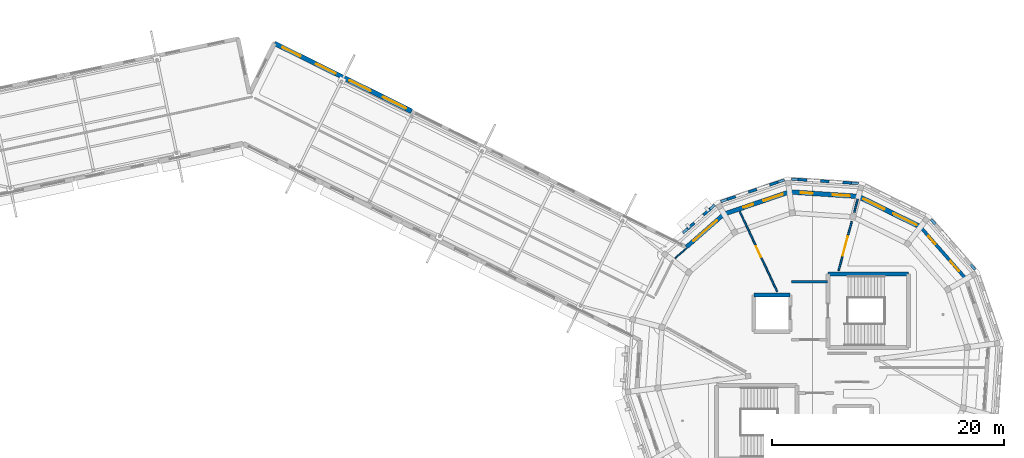
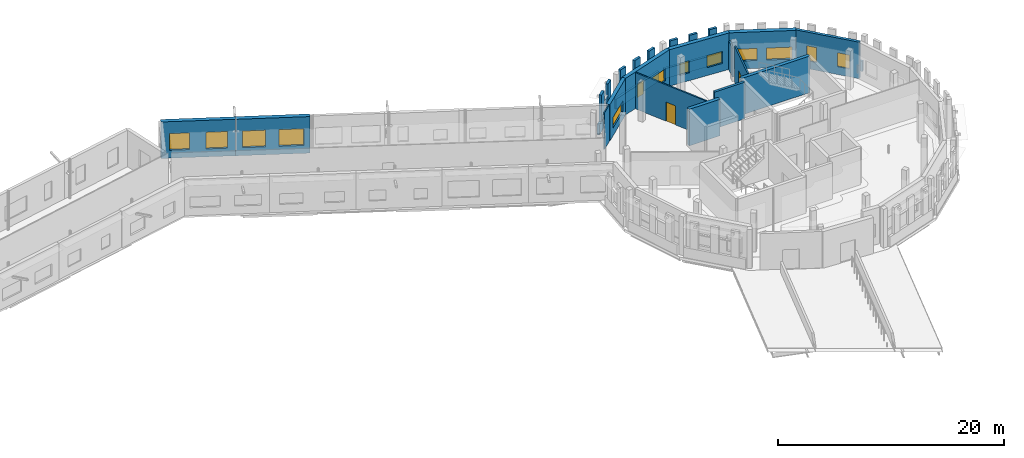
# One storey, part 52 of 68: 26 walls, 13 windows, 2 doors, 15 openings.
"""IFC4 building model written with IfcOpenShell, lengths in metres."""

from ifc_helpers import new_model, si_unit, direction, frame, frame_2d, origin, place, context, subcontext, project, spatial, rectangle, extrude, material, layer, layer_set, type_object, element, fill, save


model = new_model("IFC4")

# Units and contexts
model_context = context("Model", 3, precision=1e-05, world=origin(), true_north=direction((0.0, 1.0)))
body_context = subcontext(model_context, "Body", "Model", "MODEL_VIEW")
ifc_project = project(units=[si_unit("LENGTHUNIT", "METRE"), si_unit("AREAUNIT", "SQUARE_METRE"), si_unit("VOLUMEUNIT", "CUBIC_METRE"), si_unit("PLANEANGLEUNIT", "RADIAN"), si_unit("MASSUNIT", "GRAM", prefix="KILO")], contexts=[model_context])

# Site, building, storey
site_placement = place(None, origin())
site = spatial("IfcSite", under=ifc_project, at=site_placement, CompositionType="ELEMENT")
building_placement = place(site_placement, origin())
building = spatial("IfcBuilding", under=site, at=building_placement, Name="Wrenclough Park School", CompositionType="ELEMENT")
storey_placement = place(building_placement, frame((0.0, 0.0, 12.60009765625)))
storey = spatial("IfcBuildingStorey", under=building, at=storey_placement, Name="L03", CompositionType="ELEMENT", Elevation=12.60009765625)

# Walls
ifc_material_1 = material(Name="Perforated open-bond Staffordshire and Manchester brick screen pier", Category="masonry")
ifc_layer_1 = layer(ifc_material_1, 0.2451171875)
ifc_layer_set_1 = layer_set([ifc_layer_1], Name="Perforated open-bond Staffordshire and Manchester brick screen pier")
wall_type_1 = type_object("IfcWallType", Name="ENV-BS-PR245", PredefinedType="ELEMENTEDWALL", material=ifc_layer_set_1)
for number, where, z_axis, x_axis, name in (
    (1, (177.85546875, 109.415771484375, 1.08984375), (0.0, 0.0, 1.0), (-0.997871025061, 0.065218228618, 0.0), "D5 L03 perforated brick screen pier 0856"),
    (2, (175.93212890625, 109.541748046875, 1.08984375), (0.0, 0.0, 1.0), (-0.997850066036, 0.065538124105, 0.0), "D5 L03 perforated brick screen pier 0857"),
    (3, (174.0087890625, 109.667724609375, 1.08984375), (0.0, 0.0, 1.0), (-0.997850066036, 0.065538124105, 0.0), "D5 L03 perforated brick screen pier 0858"),
    (4, (171.509521484375, 109.48828125, 1.08984375), (0.0, 0.0, 1.0), (-0.946901886192, -0.321522655386, 0.0), "D5 L03 perforated brick screen pier 0859"),
    (5, (169.684326171875, 108.86865234375, 1.08984375), (0.0, 0.0, 1.0), (-0.946999642396, -0.32123461411, 0.0), "D5 L03 perforated brick screen pier 0860"),
    (6, (167.859130859375, 108.249267578125, 1.08984375), (0.0, 0.0, 1.0), (-0.946901886192, -0.321522655386, 0.0), "D5 L03 perforated brick screen pier 0861"),
):
    element("IfcWall", number, at=place(storey_placement, frame(where, z_axis=z_axis, x_axis=x_axis)), inside=storey, type_object=wall_type_1, Name=name, PredefinedType="ELEMENTEDWALL", context=body_context, shape_type="SweptSolid", body=[
        extrude(rectangle(XDim=0.760009765625, YDim=0.2451171875, at=frame_2d((0.3798828125, 0.0))), origin(), (0.0, 0.0, 1.0), 2.85009765625),
    ])
for number, where, z_axis, x_axis, name in (
    (7, (165.659423828125, 107.16259765625, 1.08984375), (0.0, 0.0, 1.0), (-0.751840109951, -0.659345470196, 0.0), "D5 L03 perforated brick screen pier 0862"),
    (8, (164.29150390625, 105.962890625, 1.08984375), (0.0, 0.0, 1.0), (-0.751840109951, -0.659345470196, 0.0), "D5 L03 perforated brick screen pier 0863"),
):
    element("IfcWall", number, at=place(storey_placement, frame(where, z_axis=z_axis, x_axis=x_axis)), inside=storey, type_object=wall_type_1, Name=name, PredefinedType="ELEMENTEDWALL", context=body_context, shape_type="SweptSolid", body=[
        extrude(rectangle(XDim=0.76025390625, YDim=0.2451171875, at=frame_2d((0.380126953125, 0.0))), origin(), (0.0, 0.0, 1.0), 2.85009765625),
    ])
ifc_material_2 = material(Name="Open-bond Manchester multi-stock brick spandrel screen", Category="masonry")
ifc_layer_2 = layer(ifc_material_2, 0.22509765625)
ifc_layer_set_2 = layer_set([ifc_layer_2], Name="Open-bond Manchester multi-stock brick spandrel screen")
wall_type_2 = type_object("IfcWallType", Name="ENV-BS-SP225", PredefinedType="ELEMENTEDWALL", material=ifc_layer_set_2)
wall_1_placement = place(storey_placement, frame((188.51171875, 101.9423828125, 0.0), z_axis=(0.0, 0.0, 1.0), x_axis=(-0.659335243923, 0.751849078021, 0.0)))
element("IfcWall", 9, at=wall_1_placement, inside=storey, type_object=wall_type_2, Name="D5 L03 open-bond brick screen spandrel 0228", PredefinedType="ELEMENTEDWALL", context=body_context, shape_type="SweptSolid", body=[
    extrude(rectangle(XDim=5.781982421875, YDim=0.22509765625, at=frame_2d((2.89111328125, 0.0))), origin(), (0.0, 0.0, 1.0), 1.08984375),
])
wall_2_placement = place(storey_placement, frame((178.43798828125, 109.37744140625, 0.0), z_axis=(0.0, 0.0, 1.0), x_axis=(-0.997859072584, 0.065400850615, 0.0)))
element("IfcWall", 10, at=wall_2_placement, inside=storey, type_object=wall_type_2, Name="D5 L03 open-bond brick screen spandrel 0230", PredefinedType="ELEMENTEDWALL", context=body_context, shape_type="SweptSolid", body=[
    extrude(rectangle(XDim=5.782470703125, YDim=0.22509765625, at=frame_2d((2.89111328125, 0.0))), origin(), (0.0, 0.0, 1.0), 1.08984375),
])
wall_3_placement = place(storey_placement, frame((172.062255859375, 109.67578125, 0.0), z_axis=(0.0, 0.0, 1.0), x_axis=(-0.946942218197, -0.321403850935, 0.0)))
element("IfcWall", 11, at=wall_3_placement, inside=storey, type_object=wall_type_2, Name="D5 L03 open-bond brick screen spandrel 0231", PredefinedType="ELEMENTEDWALL", context=body_context, shape_type="SweptSolid", body=[
    extrude(rectangle(XDim=5.7822265625, YDim=0.22509765625, at=frame_2d((2.89111328125, 0.0))), origin(), (0.0, 0.0, 1.0), 1.08984375),
])
wall_4_placement = place(storey_placement, frame((166.0576171875, 107.51171875, 0.0), z_axis=(0.0, 0.0, 1.0), x_axis=(-0.751819793684, -0.65936863576, 0.0)))
element("IfcWall", 12, at=wall_4_placement, inside=storey, type_object=wall_type_2, Name="D5 L03 open-bond brick screen spandrel 0232", PredefinedType="ELEMENTEDWALL", context=body_context, shape_type="SweptSolid", body=[
    extrude(rectangle(XDim=3.638916015625, YDim=0.22509765625, at=frame_2d((1.8193359375, 0.0))), origin(), (0.0, 0.0, 1.0), 1.08984375),
])

# Wall, openings, windows
ifc_material_3 = material(Name="Link wing brick-faced cavity wall Concrete C32/40", Category="masonry")
ifc_layer_3 = layer(ifc_material_3, 0.27490234375)
ifc_layer_set_3 = layer_set([ifc_layer_3], Name="Link wing brick-faced cavity wall Concrete C32/40")
wall_type_3 = type_object("IfcWallType", Name="ENV-EW-275", PredefinedType="SOLIDWALL", material=ifc_layer_set_3)
wall_5_placement = place(storey_placement, frame((183.800537109375, 105.62060546875, 0.0), z_axis=(0.0, 0.0, 1.0), x_axis=(0.659353757459, -0.751832842143, 0.0)))
wall_5 = element("IfcWall", 13, at=wall_5_placement, inside=storey, type_object=wall_type_3, Name="L03 insulated brick external wall 0294", PredefinedType="SOLIDWALL", context=body_context, shape_type="SweptSolid", body=[
    extrude(rectangle(XDim=5.9609375, YDim=0.27490234375, at=frame_2d((2.98046875, 0.0))), origin(), (0.0, 0.0, 1.0), 3.93994140625),
])
opening_1_placement = place(wall_5_placement, frame((1.040283203125, 0.0, 0.85009765625)))
opening_1 = element("IfcOpeningElement", 14, at=opening_1_placement, cuts=wall_5, Name="Opening WN-13", PredefinedType="OPENING", context=body_context, shape_type="SweptSolid", body=[
    extrude(rectangle(XDim=0.89990234375, YDim=1.60009765625, at=frame_2d((0.449951171875, 0.800048828125))), frame((0.0, 0.1474609375, 0.0), z_axis=(0.0, -1.0, 0.0), x_axis=(1.0, 0.0, 0.0)), (0.0, 0.0, 1.0), 0.294921875),
])
opening_2_placement = place(wall_5_placement, frame((3.895751953125, 0.0, 0.85009765625)))
opening_2 = element("IfcOpeningElement", 15, at=opening_2_placement, cuts=wall_5, Name="Opening WN-50", PredefinedType="OPENING", context=body_context, shape_type="SweptSolid", body=[
    extrude(rectangle(XDim=1.14990234375, YDim=1.5, at=frame_2d((0.574951171875, 0.75))), frame((0.0, 0.1474609375, 0.0), z_axis=(0.0, -1.0, 0.0), x_axis=(1.0, 0.0, 0.0)), (0.0, 0.0, 1.0), 0.294921875),
])
ifc_material_4 = material(Name="Thermally broken aluminium and double-glazed low-e glass", Category="aluminium")
window_type_1 = type_object("IfcWindowType", Name="ENV-WN-13", PartitioningType="SINGLE_PANEL", PredefinedType="WINDOW", material=ifc_material_4)
window_1_placement = place(opening_1_placement, origin())
window_1 = element("IfcWindow", 16, at=window_1_placement, inside=storey, type_object=window_type_1, Name="L03 scheduled facade window 0496", OverallHeight=1.60009765625, OverallWidth=0.89990234375, PartitioningType="SINGLE_PANEL", PredefinedType="WINDOW", context=body_context, shape_type="SweptSolid", body=[
    extrude(rectangle(XDim=0.89990234375, YDim=1.60009765625, at=frame_2d((0.449951171875, 0.800048828125))), frame((0.0, 0.030029296875, 0.0), z_axis=(0.0, -1.0, 0.0), x_axis=(1.0, 0.0, 0.0)), (0.0, 0.0, 1.0), 0.06005859375),
])
fill(opening_1, window_1)
window_type_2 = type_object("IfcWindowType", Name="ENV-WN-50", PartitioningType="SINGLE_PANEL", PredefinedType="WINDOW", material=ifc_material_4)
window_2_placement = place(opening_2_placement, origin())
window_2 = element("IfcWindow", 17, at=window_2_placement, inside=storey, type_object=window_type_2, Name="L03 scheduled facade window 0497", OverallHeight=1.5, OverallWidth=1.14990234375, PartitioningType="SINGLE_PANEL", PredefinedType="WINDOW", context=body_context, shape_type="SweptSolid", body=[
    extrude(rectangle(XDim=1.14990234375, YDim=1.5, at=frame_2d((0.574951171875, 0.75))), frame((0.0, 0.030029296875, 0.0), z_axis=(0.0, -1.0, 0.0), x_axis=(1.0, 0.0, 0.0)), (0.0, 0.0, 1.0), 0.06005859375),
])
fill(opening_2, window_2)

# Wall, opening, window
ifc_material_5 = material(Name="Staffordshire blue-grey brick and Concrete C35/45 inner leaf", Category="masonry")
ifc_layer_4 = layer(ifc_material_5, 0.35009765625)
ifc_layer_set_4 = layer_set([ifc_layer_4], Name="Staffordshire blue-grey brick and Concrete C35/45 inner leaf")
wall_type_4 = type_object("IfcWallType", Name="ENV-EW-350", PredefinedType="SOLIDWALL", material=ifc_layer_set_4)
wall_6_placement = place(storey_placement, frame((163.61572265625, 103.884521484375, 0.0), z_axis=(0.0, 0.0, 1.0), x_axis=(0.751801904745, 0.659389032379, 0.0)))
wall_6 = element("IfcWall", 18, at=wall_6_placement, inside=storey, type_object=wall_type_4, Name="L03 insulated brick external wall 0290", PredefinedType="SOLIDWALL", context=body_context, shape_type="SweptSolid", body=[
    extrude(rectangle(XDim=4.31689453125, YDim=0.35009765625, at=frame_2d((2.158447265625, 0.0))), origin(), (0.0, 0.0, 1.0), 3.93994140625),
])
opening_3_placement = place(wall_6_placement, frame((0.808349609375, 0.0, 0.85009765625)))
opening_3 = element("IfcOpeningElement", 19, at=opening_3_placement, cuts=wall_6, Name="Opening WN-42", PredefinedType="OPENING", context=body_context, shape_type="SweptSolid", body=[
    extrude(rectangle(XDim=2.699951171875, YDim=1.14990234375, at=frame_2d((1.35009765625, 0.574951171875))), frame((0.0, 0.18505859375, 0.0), z_axis=(0.0, -1.0, 0.0), x_axis=(1.0, 0.0, 0.0)), (0.0, 0.0, 1.0), 0.3701171875),
])
window_type_3 = type_object("IfcWindowType", Name="ENV-WN-42", PartitioningType="DOUBLE_PANEL_VERTICAL", PredefinedType="WINDOW", material=ifc_material_4)
window_3_placement = place(opening_3_placement, origin())
window_3 = element("IfcWindow", 20, at=window_3_placement, inside=storey, type_object=window_type_3, Name="L03 scheduled facade window 0489", OverallHeight=1.14990234375, OverallWidth=2.699951171875, PartitioningType="SINGLE_PANEL", PredefinedType="WINDOW", context=body_context, shape_type="SweptSolid", body=[
    extrude(rectangle(XDim=2.699951171875, YDim=1.14990234375, at=frame_2d((1.35009765625, 0.574951171875))), frame((0.0, 0.030029296875, 0.0), z_axis=(0.0, -1.0, 0.0), x_axis=(1.0, 0.0, 0.0)), (0.0, 0.0, 1.0), 0.06005859375),
])
fill(opening_3, window_3)

# Wall, openings, windows
ifc_material_6 = material(Name="Manchester multi-stock brick and Concrete C35/45 inner leaf", Category="masonry")
ifc_layer_5 = layer(ifc_material_6, 0.3798828125)
ifc_layer_set_5 = layer_set([ifc_layer_5], Name="Manchester multi-stock brick and Concrete C35/45 inner leaf")
wall_type_5 = type_object("IfcWallType", Name="ENV-EW-380", PredefinedType="SOLIDWALL", material=ifc_layer_set_5)
wall_7_placement = place(storey_placement, frame((166.861083984375, 106.73095703125, 0.0), z_axis=(0.0, 0.0, 1.0), x_axis=(0.94693663561, 0.321420298269, 0.0)))
wall_7 = element("IfcWall", 21, at=wall_7_placement, inside=storey, type_object=wall_type_5, Name="L03 insulated brick external wall 0291", PredefinedType="SOLIDWALL", context=body_context, shape_type="SweptSolid", body=[
    extrude(rectangle(XDim=5.961181640625, YDim=0.3798828125, at=frame_2d((2.98046875, 0.0))), origin(), (0.0, 0.0, 1.0), 3.93994140625),
])
opening_4_placement = place(wall_7_placement, frame((1.780517578125, 0.0, 0.85009765625)))
opening_4 = element("IfcOpeningElement", 22, at=opening_4_placement, cuts=wall_7, Name="Opening WN-01", PredefinedType="OPENING", context=body_context, shape_type="SweptSolid", body=[
    extrude(rectangle(XDim=0.85009765625, YDim=1.39990234375, at=frame_2d((0.425048828125, 0.699951171875))), frame((0.0, 0.199951171875, 0.0), z_axis=(0.0, -1.0, 0.0), x_axis=(1.0, 0.0, 0.0)), (0.0, 0.0, 1.0), 0.39990234375),
])
opening_5_placement = place(wall_7_placement, frame((3.595947265625, 0.0, 0.85009765625)))
opening_5 = element("IfcOpeningElement", 23, at=opening_5_placement, cuts=wall_7, Name="Opening WN-44", PredefinedType="OPENING", context=body_context, shape_type="SweptSolid", body=[
    extrude(rectangle(XDim=1.75, YDim=1.300048828125, at=frame_2d((0.875, 0.64990234375))), frame((0.0, 0.199951171875, 0.0), z_axis=(0.0, -1.0, 0.0), x_axis=(1.0, 0.0, 0.0)), (0.0, 0.0, 1.0), 0.39990234375),
])
window_type_4 = type_object("IfcWindowType", Name="ENV-WN-01", PartitioningType="SINGLE_PANEL", PredefinedType="WINDOW", material=ifc_material_4)
window_4_placement = place(opening_4_placement, origin())
window_4 = element("IfcWindow", 24, at=window_4_placement, inside=storey, type_object=window_type_4, Name="L03 scheduled facade window 0490", OverallHeight=1.39990234375, OverallWidth=0.85009765625, PartitioningType="SINGLE_PANEL", PredefinedType="WINDOW", context=body_context, shape_type="SweptSolid", body=[
    extrude(rectangle(XDim=0.85009765625, YDim=1.39990234375, at=frame_2d((0.425048828125, 0.699951171875))), frame((0.0, 0.030029296875, 0.0), z_axis=(0.0, -1.0, 0.0), x_axis=(1.0, 0.0, 0.0)), (0.0, 0.0, 1.0), 0.06005859375),
])
fill(opening_4, window_4)
window_type_5 = type_object("IfcWindowType", Name="ENV-WN-44", PartitioningType="DOUBLE_PANEL_VERTICAL", PredefinedType="WINDOW", material=ifc_material_4)
window_5_placement = place(opening_5_placement, origin())
window_5 = element("IfcWindow", 25, at=window_5_placement, inside=storey, type_object=window_type_5, Name="L03 scheduled facade window 0491", OverallHeight=1.300048828125, OverallWidth=1.75, PartitioningType="SINGLE_PANEL", PredefinedType="WINDOW", context=body_context, shape_type="SweptSolid", body=[
    extrude(rectangle(XDim=1.75, YDim=1.300048828125, at=frame_2d((0.875, 0.64990234375))), frame((0.0, 0.030029296875, 0.0), z_axis=(0.0, -1.0, 0.0), x_axis=(1.0, 0.0, 0.0)), (0.0, 0.0, 1.0), 0.06005859375),
])
fill(opening_5, window_5)

ifc_material_7 = material(Name="Staffordshire blue-grey brick and Concrete C40/50 acoustic leaf", Category="masonry")
ifc_layer_6 = layer(ifc_material_7, 0.39990234375)
ifc_layer_set_6 = layer_set([ifc_layer_6], Name="Staffordshire blue-grey brick and Concrete C40/50 acoustic leaf")
wall_type_6 = type_object("IfcWallType", Name="ENV-EW-400", PredefinedType="SOLIDWALL", material=ifc_layer_set_6)
wall_8_placement = place(storey_placement, frame((128.094482421875, 121.4619140625, 0.0), z_axis=(0.0, 0.0, 1.0), x_axis=(0.896274950862, -0.443498830277, 0.0)))
wall_8 = element("IfcWall", 26, at=wall_8_placement, inside=storey, type_object=wall_type_6, Name="L03 insulated brick external wall 0284", PredefinedType="SOLIDWALL", context=body_context, shape_type="SweptSolid", body=[
    extrude(rectangle(XDim=6.605224609375, YDim=0.39990234375, at=frame_2d((3.302734375, 0.0))), origin(), (0.0, 0.0, 1.0), 3.93994140625),
])
opening_6_placement = place(wall_8_placement, frame((0.7763671875, 0.0, 0.85009765625)))
opening_6 = element("IfcOpeningElement", 27, at=opening_6_placement, cuts=wall_8, Name="Opening WN-30", PredefinedType="OPENING", context=body_context, shape_type="SweptSolid", body=[
    extrude(rectangle(XDim=1.75, YDim=1.800048828125, at=frame_2d((0.875, 0.89990234375))), frame((0.0, 0.2099609375, 0.0), z_axis=(0.0, -1.0, 0.0), x_axis=(1.0, 0.0, 0.0)), (0.0, 0.0, 1.0), 0.419921875),
])
opening_7_placement = place(wall_8_placement, frame((4.004150390625, 0.0, 0.85009765625)))
opening_7 = element("IfcOpeningElement", 28, at=opening_7_placement, cuts=wall_8, Name="Opening WN-31", PredefinedType="OPENING", context=body_context, shape_type="SweptSolid", body=[
    extrude(rectangle(XDim=1.89990234375, YDim=1.800048828125, at=frame_2d((0.949951171875, 0.89990234375))), frame((0.0, 0.2099609375, 0.0), z_axis=(0.0, -1.0, 0.0), x_axis=(1.0, 0.0, 0.0)), (0.0, 0.0, 1.0), 0.419921875),
])
window_type_6 = type_object("IfcWindowType", Name="ENV-WN-30", PartitioningType="DOUBLE_PANEL_VERTICAL", PredefinedType="WINDOW", material=ifc_material_4)
window_6_placement = place(opening_6_placement, origin())
window_6 = element("IfcWindow", 29, at=window_6_placement, inside=storey, type_object=window_type_6, Name="L03 scheduled facade window 0477", OverallHeight=1.800048828125, OverallWidth=1.75, PartitioningType="SINGLE_PANEL", PredefinedType="WINDOW", context=body_context, shape_type="SweptSolid", body=[
    extrude(rectangle(XDim=1.75, YDim=1.800048828125, at=frame_2d((0.875, 0.89990234375))), frame((0.0, 0.030029296875, 0.0), z_axis=(0.0, -1.0, 0.0), x_axis=(1.0, 0.0, 0.0)), (0.0, 0.0, 1.0), 0.06005859375),
])
fill(opening_6, window_6)
window_type_7 = type_object("IfcWindowType", Name="ENV-WN-31", PartitioningType="DOUBLE_PANEL_VERTICAL", PredefinedType="WINDOW", material=ifc_material_4)
window_7_placement = place(opening_7_placement, origin())
window_7 = element("IfcWindow", 30, at=window_7_placement, inside=storey, type_object=window_type_7, Name="L03 scheduled facade window 0478", OverallHeight=1.800048828125, OverallWidth=1.89990234375, PartitioningType="SINGLE_PANEL", PredefinedType="WINDOW", context=body_context, shape_type="SweptSolid", body=[
    extrude(rectangle(XDim=1.89990234375, YDim=1.800048828125, at=frame_2d((0.949951171875, 0.89990234375))), frame((0.0, 0.030029296875, 0.0), z_axis=(0.0, -1.0, 0.0), x_axis=(1.0, 0.0, 0.0)), (0.0, 0.0, 1.0), 0.06005859375),
])
fill(opening_7, window_7)

wall_9_placement = place(storey_placement, frame((172.505859375, 108.64697265625, 0.0), z_axis=(0.0, 0.0, 1.0), x_axis=(0.997858658418, -0.065407169492, 0.0)))
wall_9 = element("IfcWall", 31, at=wall_9_placement, inside=storey, type_object=wall_type_6, Name="L03 insulated brick external wall 0292", PredefinedType="SOLIDWALL", context=body_context, shape_type="SweptSolid", body=[
    extrude(rectangle(XDim=5.9609375, YDim=0.39990234375, at=frame_2d((2.98046875, 0.0))), origin(), (0.0, 0.0, 1.0), 3.93994140625),
])
opening_8_placement = place(wall_9_placement, frame((0.990234375, 0.0, 0.85009765625)))
opening_8 = element("IfcOpeningElement", 32, at=opening_8_placement, cuts=wall_9, Name="Opening WN-45", PredefinedType="OPENING", context=body_context, shape_type="SweptSolid", body=[
    extrude(rectangle(XDim=1.0, YDim=1.300048828125, at=frame_2d((0.5, 0.64990234375))), frame((0.0, 0.2099609375, 0.0), z_axis=(0.0, -1.0, 0.0), x_axis=(1.0, 0.0, 0.0)), (0.0, 0.0, 1.0), 0.419921875),
])
opening_9_placement = place(wall_9_placement, frame((3.720703125, 0.0, 0.85009765625)))
opening_9 = element("IfcOpeningElement", 33, at=opening_9_placement, cuts=wall_9, Name="Opening WN-46", PredefinedType="OPENING", context=body_context, shape_type="SweptSolid", body=[
    extrude(rectangle(XDim=1.5, YDim=1.300048828125, at=frame_2d((0.75, 0.64990234375))), frame((0.0, 0.2099609375, 0.0), z_axis=(0.0, -1.0, 0.0), x_axis=(1.0, 0.0, 0.0)), (0.0, 0.0, 1.0), 0.419921875),
])
window_type_8 = type_object("IfcWindowType", Name="ENV-WN-45", PartitioningType="SINGLE_PANEL", PredefinedType="WINDOW", material=ifc_material_4)
window_8_placement = place(opening_8_placement, origin())
window_8 = element("IfcWindow", 34, at=window_8_placement, inside=storey, type_object=window_type_8, Name="L03 scheduled facade window 0492", OverallHeight=1.300048828125, OverallWidth=1.0, PartitioningType="SINGLE_PANEL", PredefinedType="WINDOW", context=body_context, shape_type="SweptSolid", body=[
    extrude(rectangle(XDim=1.0, YDim=1.300048828125, at=frame_2d((0.5, 0.64990234375))), frame((0.0, 0.030029296875, 0.0), z_axis=(0.0, -1.0, 0.0), x_axis=(1.0, 0.0, 0.0)), (0.0, 0.0, 1.0), 0.06005859375),
])
fill(opening_8, window_8)
window_type_9 = type_object("IfcWindowType", Name="ENV-WN-46", PartitioningType="DOUBLE_PANEL_VERTICAL", PredefinedType="WINDOW", material=ifc_material_4)
window_9_placement = place(opening_9_placement, origin())
window_9 = element("IfcWindow", 35, at=window_9_placement, inside=storey, type_object=window_type_9, Name="L03 scheduled facade window 0493", OverallHeight=1.300048828125, OverallWidth=1.5, PartitioningType="SINGLE_PANEL", PredefinedType="WINDOW", context=body_context, shape_type="SweptSolid", body=[
    extrude(rectangle(XDim=1.5, YDim=1.300048828125, at=frame_2d((0.75, 0.64990234375))), frame((0.0, 0.030029296875, 0.0), z_axis=(0.0, -1.0, 0.0), x_axis=(1.0, 0.0, 0.0)), (0.0, 0.0, 1.0), 0.06005859375),
])
fill(opening_9, window_9)

ifc_material_8 = material(Name="Insulated brick-clad sports hall wall Concrete C40/50", Category="masonry")
ifc_layer_7 = layer(ifc_material_8, 0.425048828125)
ifc_layer_set_7 = layer_set([ifc_layer_7], Name="Insulated brick-clad sports hall wall Concrete C40/50")
wall_type_7 = type_object("IfcWallType", Name="ENV-EW-425", PredefinedType="SOLIDWALL", material=ifc_layer_set_7)
wall_10_placement = place(storey_placement, frame((134.0146484375, 118.532470703125, 0.0), z_axis=(0.0, 0.0, 1.0), x_axis=(0.896260258603, -0.443528520897, 0.0)))
wall_10 = element("IfcWall", 36, at=wall_10_placement, inside=storey, type_object=wall_type_7, Name="L03 insulated brick external wall 0285", PredefinedType="SOLIDWALL", context=body_context, shape_type="SweptSolid", body=[
    extrude(rectangle(XDim=6.60546875, YDim=0.425048828125, at=frame_2d((3.302734375, 0.0))), origin(), (0.0, 0.0, 1.0), 3.93994140625),
])
opening_10_placement = place(wall_10_placement, frame((0.626220703125, 0.0, 0.85009765625)))
opening_10 = element("IfcOpeningElement", 37, at=opening_10_placement, cuts=wall_10, Name="Opening WN-32", PredefinedType="OPENING", context=body_context, shape_type="SweptSolid", body=[
    extrude(rectangle(XDim=2.050048828125, YDim=1.800048828125, at=frame_2d((1.02490234375, 0.89990234375))), frame((0.0, 0.222412109375, 0.0), z_axis=(0.0, -1.0, 0.0), x_axis=(1.0, 0.0, 0.0)), (0.0, 0.0, 1.0), 0.445068359375),
])
opening_11_placement = place(wall_10_placement, frame((3.85400390625, 0.0, 0.85009765625)))
opening_11 = element("IfcOpeningElement", 38, at=opening_11_placement, cuts=wall_10, Name="Opening WN-33", PredefinedType="OPENING", context=body_context, shape_type="SweptSolid", body=[
    extrude(rectangle(XDim=2.199951171875, YDim=1.800048828125, at=frame_2d((1.10009765625, 0.89990234375))), frame((0.0, 0.222412109375, 0.0), z_axis=(0.0, -1.0, 0.0), x_axis=(1.0, 0.0, 0.0)), (0.0, 0.0, 1.0), 0.445068359375),
])
window_type_10 = type_object("IfcWindowType", Name="ENV-WN-32", PartitioningType="DOUBLE_PANEL_VERTICAL", PredefinedType="WINDOW", material=ifc_material_4)
window_10_placement = place(opening_10_placement, origin())
window_10 = element("IfcWindow", 39, at=window_10_placement, inside=storey, type_object=window_type_10, Name="L03 scheduled facade window 0479", OverallHeight=1.800048828125, OverallWidth=2.050048828125, PartitioningType="SINGLE_PANEL", PredefinedType="WINDOW", context=body_context, shape_type="SweptSolid", body=[
    extrude(rectangle(XDim=2.050048828125, YDim=1.800048828125, at=frame_2d((1.02490234375, 0.89990234375))), frame((0.0, 0.030029296875, 0.0), z_axis=(0.0, -1.0, 0.0), x_axis=(1.0, 0.0, 0.0)), (0.0, 0.0, 1.0), 0.06005859375),
])
fill(opening_10, window_10)
window_type_11 = type_object("IfcWindowType", Name="ENV-WN-33", PartitioningType="DOUBLE_PANEL_VERTICAL", PredefinedType="WINDOW", material=ifc_material_4)
window_11_placement = place(opening_11_placement, origin())
window_11 = element("IfcWindow", 40, at=window_11_placement, inside=storey, type_object=window_type_11, Name="L03 scheduled facade window 0480", OverallHeight=1.800048828125, OverallWidth=2.199951171875, PartitioningType="SINGLE_PANEL", PredefinedType="WINDOW", context=body_context, shape_type="SweptSolid", body=[
    extrude(rectangle(XDim=2.199951171875, YDim=1.800048828125, at=frame_2d((1.10009765625, 0.89990234375))), frame((0.0, 0.030029296875, 0.0), z_axis=(0.0, -1.0, 0.0), x_axis=(1.0, 0.0, 0.0)), (0.0, 0.0, 1.0), 0.06005859375),
])
fill(opening_11, window_11)

wall_11_placement = place(storey_placement, frame((178.4541015625, 108.257080078125, 0.0), z_axis=(0.0, 0.0, 1.0), x_axis=(0.896879104746, -0.442275786664, 0.0)))
wall_11 = element("IfcWall", 41, at=wall_11_placement, inside=storey, type_object=wall_type_7, Name="L03 insulated brick external wall 0293", PredefinedType="SOLIDWALL", context=body_context, shape_type="SweptSolid", body=[
    extrude(rectangle(XDim=5.961181640625, YDim=0.425048828125, at=frame_2d((2.98046875, 0.0))), origin(), (0.0, 0.0, 1.0), 3.93994140625),
])
opening_12_placement = place(wall_11_placement, frame((0.490234375, 0.0, 0.85009765625)))
opening_12 = element("IfcOpeningElement", 42, at=opening_12_placement, cuts=wall_11, Name="Opening WN-47", PredefinedType="OPENING", context=body_context, shape_type="SweptSolid", body=[
    extrude(rectangle(XDim=2.0, YDim=1.300048828125, at=frame_2d((1.0, 0.64990234375))), frame((0.0, 0.222412109375, 0.0), z_axis=(0.0, -1.0, 0.0), x_axis=(1.0, 0.0, 0.0)), (0.0, 0.0, 1.0), 0.445068359375),
])
opening_13_placement = place(wall_11_placement, frame((3.345947265625, 0.0, 0.85009765625)))
opening_13 = element("IfcOpeningElement", 43, at=opening_13_placement, cuts=wall_11, Name="Opening WN-48", PredefinedType="OPENING", context=body_context, shape_type="SweptSolid", body=[
    extrude(rectangle(XDim=2.25, YDim=1.300048828125, at=frame_2d((1.125, 0.64990234375))), frame((0.0, 0.222412109375, 0.0), z_axis=(0.0, -1.0, 0.0), x_axis=(1.0, 0.0, 0.0)), (0.0, 0.0, 1.0), 0.445068359375),
])
window_type_12 = type_object("IfcWindowType", Name="ENV-WN-47", PartitioningType="DOUBLE_PANEL_VERTICAL", PredefinedType="WINDOW", material=ifc_material_4)
window_12_placement = place(opening_12_placement, origin())
window_12 = element("IfcWindow", 44, at=window_12_placement, inside=storey, type_object=window_type_12, Name="L03 scheduled facade window 0494", OverallHeight=1.300048828125, OverallWidth=2.0, PartitioningType="SINGLE_PANEL", PredefinedType="WINDOW", context=body_context, shape_type="SweptSolid", body=[
    extrude(rectangle(XDim=2.0, YDim=1.300048828125, at=frame_2d((1.0, 0.64990234375))), frame((0.0, 0.030029296875, 0.0), z_axis=(0.0, -1.0, 0.0), x_axis=(1.0, 0.0, 0.0)), (0.0, 0.0, 1.0), 0.06005859375),
])
fill(opening_12, window_12)
window_type_13 = type_object("IfcWindowType", Name="ENV-WN-48", PartitioningType="DOUBLE_PANEL_VERTICAL", PredefinedType="WINDOW", material=ifc_material_4)
window_13_placement = place(opening_13_placement, origin())
window_13 = element("IfcWindow", 45, at=window_13_placement, inside=storey, type_object=window_type_13, Name="L03 scheduled facade window 0495", OverallHeight=1.300048828125, OverallWidth=2.25, PartitioningType="SINGLE_PANEL", PredefinedType="WINDOW", context=body_context, shape_type="SweptSolid", body=[
    extrude(rectangle(XDim=2.25, YDim=1.300048828125, at=frame_2d((1.125, 0.64990234375))), frame((0.0, 0.030029296875, 0.0), z_axis=(0.0, -1.0, 0.0), x_axis=(1.0, 0.0, 0.0)), (0.0, 0.0, 1.0), 0.06005859375),
])
fill(opening_13, window_13)

# Walls
ifc_material_9 = material(Name="Concrete C35/45", Category="concrete")
ifc_layer_8 = layer(ifc_material_9, 0.25)
ifc_layer_set_8 = layer_set([ifc_layer_8], Name="Concrete C35/45")
wall_type_8 = type_object("IfcWallType", Name="INT-CW-250", PredefinedType="SHEAR", material=ifc_layer_set_8)
wall_12_placement = place(storey_placement, frame((175.800048828125, 100.89990234375, 0.0), z_axis=(0.0, 0.0, 1.0), x_axis=(-1.0, 0.0, 0.0)))
element("IfcWall", 46, at=wall_12_placement, inside=storey, type_object=wall_type_8, Name="Core C6 L03 lobby fire wall north", PredefinedType="SHEAR", context=body_context, shape_type="SweptSolid", body=[
    extrude(rectangle(XDim=3.10009765625, YDim=0.25, at=frame_2d((1.550048828125, 0.0))), origin(), (0.0, 0.0, 1.0), 3.949951171875),
])
ifc_material_10 = material(Name="Concrete C40/50", Category="concrete")
ifc_layer_9 = layer(ifc_material_10, 0.340087890625)
ifc_layer_set_9 = layer_set([ifc_layer_9], Name="Concrete C40/50")
wall_type_9 = type_object("IfcWallType", Name="INT-CW-340", PredefinedType="SHEAR", material=ifc_layer_set_9)
wall_13_placement = place(storey_placement, frame((182.77001953125, 101.570068359375, 0.0), z_axis=(0.0, 0.0, 1.0), x_axis=(-1.0, 0.0, 0.0)))
element("IfcWall", 47, at=wall_13_placement, inside=storey, type_object=wall_type_9, Name="Core C6 L03 north shear wall", PredefinedType="SHEAR", context=body_context, shape_type="SweptSolid", body=[
    extrude(rectangle(XDim=6.93994140625, YDim=0.340087890625, at=frame_2d((3.469970703125, 0.0))), origin(), (0.0, 0.0, 1.0), 3.949951171875),
])
wall_14_placement = place(storey_placement, frame((172.570068359375, 99.77001953125, 0.0), z_axis=(0.0, 0.0, 1.0), x_axis=(-1.0, 0.0, 0.0)))
element("IfcWall", 48, at=wall_14_placement, inside=storey, type_object=wall_type_9, Name="Lift LFT-02 L03 north shaft wall", PredefinedType="SHEAR", context=body_context, shape_type="SweptSolid", body=[
    extrude(rectangle(XDim=3.14013671875, YDim=0.340087890625, at=frame_2d((1.570068359375, 0.0))), origin(), (0.0, 0.0, 1.0), 3.949951171875),
])
ifc_material_11 = material(Name="Lightweight fire-rated store partition", Category="gypsum")
ifc_layer_10 = layer(ifc_material_11, 0.110107421875)
ifc_layer_set_10 = layer_set([ifc_layer_10], Name="Lightweight fire-rated store partition")
wall_type_10 = type_object("IfcWallType", Name="INT-PW-110", PredefinedType="PARTITIONING", material=ifc_layer_set_10)
wall_15_placement = place(storey_placement, frame((162.632080078125, 102.91552734375, 0.0), z_axis=(0.0, 0.0, 1.0), x_axis=(0.751845650999, 0.659339151783, 0.0)))
element("IfcWall", 49, at=wall_15_placement, inside=storey, type_object=wall_type_10, Name="L03 internal partition 0491", PredefinedType="PARTITIONING", context=body_context, shape_type="SweptSolid", body=[
    extrude(rectangle(XDim=1.324951171875, YDim=0.110107421875, at=frame_2d((0.66259765625, 0.0))), origin(), (0.0, 0.0, 1.0), 3.949951171875),
])
ifc_material_12 = material(Name="Protected corridor partition", Category="gypsum")
ifc_layer_11 = layer(ifc_material_12, 0.14990234375)
ifc_layer_set_11 = layer_set([ifc_layer_11], Name="Protected corridor partition")
wall_type_11 = type_object("IfcWallType", Name="INT-PW-150", PredefinedType="PARTITIONING", material=ifc_layer_set_11)
wall_16_placement = place(storey_placement, frame((178.3916015625, 108.023193359375, 0.0), z_axis=(0.0, 0.0, 1.0), x_axis=(-0.258884109648, -0.965908389948, 0.0)))
element("IfcWall", 50, at=wall_16_placement, inside=storey, type_object=wall_type_11, Name="L03 internal partition 0483", PredefinedType="PARTITIONING", context=body_context, shape_type="SweptSolid", body=[
    extrude(rectangle(XDim=1.181640625, YDim=0.14990234375, at=frame_2d((0.5908203125, 0.0))), origin(), (0.0, 0.0, 1.0), 3.116943359375),
])

# Wall, opening, door
wall_17_placement = place(storey_placement, frame((177.876708984375, 106.102294921875, 0.0), z_axis=(0.0, 0.0, 1.0), x_axis=(-0.25879251633, -0.965932934262, 0.0)))
wall_17 = element("IfcWall", 51, at=wall_17_placement, inside=storey, type_object=wall_type_11, Name="L03 internal partition 0484", PredefinedType="PARTITIONING", context=body_context, shape_type="SweptSolid", body=[
    extrude(rectangle(XDim=4.397216796875, YDim=0.14990234375, at=frame_2d((2.19873046875, 0.0))), origin(), (0.0, 0.0, 1.0), 3.914794921875),
])
opening_14_placement = place(wall_17_placement, frame((1.348388671875, 0.0, 0.0)))
opening_14 = element("IfcOpeningElement", 52, at=opening_14_placement, cuts=wall_17, Name="Opening DR-L03-100", PredefinedType="OPENING", context=body_context, shape_type="SweptSolid", body=[
    extrude(rectangle(XDim=1.699951171875, YDim=2.179931640625, at=frame_2d((0.85009765625, 1.08984375))), frame((0.0, 0.0849609375, 0.0), z_axis=(0.0, -1.0, 0.0), x_axis=(1.0, 0.0, 0.0)), (0.0, 0.0, 1.0), 0.169921875),
])
ifc_material_13 = material(Name="Library reading room double vision door assembly", Category="wood")
door_type_1 = type_object("IfcDoorType", Name="INT-DR-LIB170", OperationType="NOTDEFINED", PredefinedType="DOOR", material=ifc_material_13)
door_1_placement = place(opening_14_placement, origin())
door_1 = element("IfcDoor", 53, at=door_1_placement, inside=storey, type_object=door_type_1, Name="Quiet Reading Library Gallery door DR-L03-100", OperationType="DOUBLE_DOOR_SINGLE_SWING", OverallHeight=2.179931640625, OverallWidth=1.699951171875, PredefinedType="DOOR", context=body_context, shape_type="SweptSolid", body=[
    extrude(rectangle(XDim=1.699951171875, YDim=2.179931640625, at=frame_2d((0.85009765625, 1.08984375))), frame((0.0, 0.02490234375, 0.0), z_axis=(0.0, -1.0, 0.0), x_axis=(1.0, 0.0, 0.0)), (0.0, 0.0, 1.0), 0.050048828125),
])
fill(opening_14, door_1)

ifc_material_14 = material(Name="Moisture-resistant sanitary service wall", Category="gypsum")
ifc_layer_12 = layer(ifc_material_14, 0.139892578125)
ifc_layer_set_12 = layer_set([ifc_layer_12], Name="Moisture-resistant sanitary service wall")
wall_type_12 = type_object("IfcWallType", Name="INT-SV-140", PredefinedType="PLUMBINGWALL", material=ifc_layer_set_12)
wall_18_placement = place(storey_placement, frame((168.220947265625, 106.965576171875, 0.0), z_axis=(0.0, 0.0, 1.0), x_axis=(0.422627966587, -0.906303261529, 0.0)))
wall_18 = element("IfcWall", 54, at=wall_18_placement, inside=storey, type_object=wall_type_12, Name="L03 internal partition 0487", PredefinedType="PLUMBINGWALL", context=body_context, shape_type="SweptSolid", body=[
    extrude(rectangle(XDim=7.63037109375, YDim=0.139892578125, at=frame_2d((3.815185546875, 0.0))), origin(), (0.0, 0.0, 1.0), 3.914794921875),
])
opening_15_placement = place(wall_18_placement, frame((3.30517578125, 0.0, 0.0)))
opening_15 = element("IfcOpeningElement", 55, at=opening_15_placement, cuts=wall_18, Name="Opening DR-L03-102", PredefinedType="OPENING", context=body_context, shape_type="SweptSolid", body=[
    extrude(rectangle(XDim=1.02001953125, YDim=2.06005859375, at=frame_2d((0.510009765625, 1.030029296875))), frame((0.0, 0.079833984375, 0.0), z_axis=(0.0, -1.0, 0.0), x_axis=(1.0, 0.0, 0.0)), (0.0, 0.0, 1.0), 0.159912109375),
])
ifc_material_15 = material(Name="Accessible WC outward-opening fire door assembly", Category="wood")
door_type_2 = type_object("IfcDoorType", Name="INT-DR-AWC102", OperationType="NOTDEFINED", PredefinedType="DOOR", material=ifc_material_15)
door_2_placement = place(opening_15_placement, frame((1.02001953125, 0.0, 0.0), z_axis=(0.0, 0.0, 1.0), x_axis=(-1.0, 0.0, 0.0)))
door_2 = element("IfcDoor", 56, at=door_2_placement, inside=storey, type_object=door_type_2, Name="Accessible WC D5 Third door DR-L03-102", OperationType="SINGLE_SWING_LEFT", OverallHeight=2.06005859375, OverallWidth=1.02001953125, PredefinedType="DOOR", context=body_context, shape_type="SweptSolid", body=[
    extrude(rectangle(XDim=1.02001953125, YDim=2.06005859375, at=frame_2d((0.510009765625, 1.030029296875))), frame((0.0, 0.02490234375, 0.0), z_axis=(0.0, -1.0, 0.0), x_axis=(1.0, 0.0, 0.0)), (0.0, 0.0, 1.0), 0.050048828125),
])
fill(opening_15, door_2)

save(model, "model.ifc")
